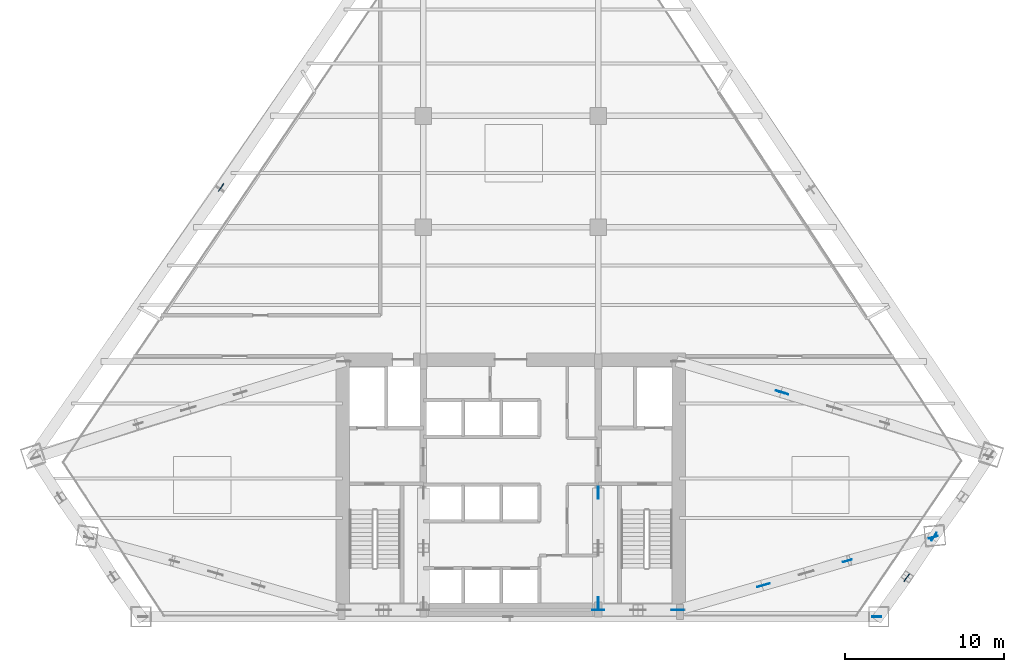
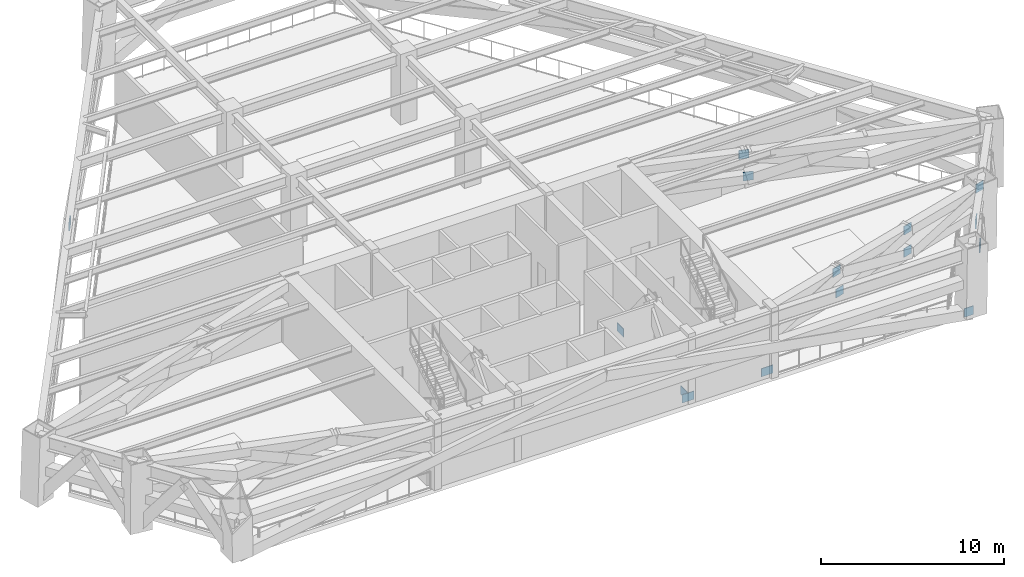
# One storey, part 5 of 10: 15 plates.
"""IFC4 building model written with IfcOpenShell, lengths in metres."""

from ifc_helpers import new_model, si_unit, direction, frame, origin, origin_2d, place, context, subcontext, project, spatial, rectangle, extrude, source, transform, mapped, material, layer, layer_set, type_object, type_shapes, element, save


model = new_model("IFC4")

# Units and contexts
model_context = context("Model", 3, precision=1e-05, world=origin(), true_north=direction((0.0, 1.0)))
body_context = subcontext(model_context, "Body", "Model", "MODEL_VIEW")
ifc_project = project(units=[si_unit("LENGTHUNIT", "METRE"), si_unit("AREAUNIT", "SQUARE_METRE"), si_unit("VOLUMEUNIT", "CUBIC_METRE"), si_unit("PLANEANGLEUNIT", "RADIAN"), si_unit("MASSUNIT", "GRAM", prefix="KILO")], contexts=[model_context])

# Site, building, storey
site_placement = place(None, origin())
site = spatial("IfcSite", under=ifc_project, at=site_placement, CompositionType="ELEMENT")
building_placement = place(site_placement, origin())
building = spatial("IfcBuilding", under=site, at=building_placement, Name="Varnakhor Terracotta Tower", CompositionType="ELEMENT")
storey_placement = place(building_placement, frame((0.0, 0.0, 71.89990234375)))
storey = spatial("IfcBuildingStorey", under=building, at=storey_placement, Name="L17", CompositionType="ELEMENT", Elevation=71.89990234375)

# Plates
ifc_material = material(Name="Steel S460", Category="steel")
ifc_layer_1 = layer(ifc_material, 0.050048828125, Name="Steel S460")
ifc_layer_set_1 = layer_set([ifc_layer_1], Name="Steel S460")
plate_type_1 = type_object("IfcPlateType", Name="PLT-GUSSET-50", PredefinedType="USERDEFINED", material=ifc_layer_set_1)
shared_shape_1 = source(origin(), body_context, "Body", "SweptSolid", [
    extrude(rectangle(XDim=0.75, YDim=0.0400390625, at=origin_2d()), origin(), (0.0, 0.0, 1.0), 0.550048828125),
])
type_shapes(plate_type_1, [shared_shape_1])
for number, where, z_axis, x_axis, name in (
    (1, (5.5, 0.419921875, -0.0947265625), (0.0, 0.0, 1.0), (1.0, 0.0, 0.0), "L17 Core Brace Embed Plate CSEA"),
    (2, (10.5, 0.419921875, -0.0947265625), (0.0, 0.0, 1.0), (1.0, 0.0, 0.0), "L17 Core Brace Embed Plate CSEB"),
    (3, (5.5, 0.85009765625, -0.0947265625), (0.0, 0.0, 1.0), (0.0, 1.0, 0.0), "L17 Core Brace Embed Plate CWEA"),
    (4, (5.5, 7.800048828125, -0.0947265625), (0.0, 0.0, 1.0), (0.0, 1.0, 0.0), "L17 Core Brace Embed Plate CWEB"),
):
    element("IfcPlate", number, at=place(storey_placement, frame(where, z_axis=z_axis, x_axis=x_axis)), inside=storey, type_object=plate_type_1, Name=name, ObjectType="GUSSET PLATE", PredefinedType="USERDEFINED", context=body_context, shape_type="MappedRepresentation", body=[
        mapped(shared_shape_1, transform((0.0, 0.0, 0.0), scale=1.0)),
    ])
ifc_layer_2 = layer(ifc_material, 0.044921875, Name="Steel S460")
ifc_layer_set_2 = layer_set([ifc_layer_2], Name="Steel S460")
plate_type_2 = type_object("IfcPlateType", Name="PLT-GUSSET-45", PredefinedType="USERDEFINED", material=ifc_layer_set_2)
shared_shape_2 = source(origin(), body_context, "Body", "SweptSolid", [
    extrude(rectangle(XDim=0.580078125, YDim=0.0400390625, at=origin_2d()), origin(), (0.0, 0.0, 1.0), 0.580078125),
])
for number, where, z_axis, x_axis, name in (
    (5, (23.016845703125, 0.0, -0.26953125), (0.0, 0.0, 1.0), (-1.0, 0.0, 0.0), "L17 Brace End Connection Plate 54"),
    (6, (24.89453125, 2.45458984375, 3.601806640625), (0.0, 0.0, 1.0), (0.58260537134, 0.812755179181, 0.0), "L17 Brace End Connection Plate 55"),
    (7, (26.626953125, 5.043701171875, -0.195556640625), (0.0, 0.0, 1.0), (-0.555439619225, -0.831556870812, 0.0), "L17 Brace End Connection Plate 56"),
    (8, (-18.2216796875, 27.002197265625, 3.673583984375), (0.0, 0.0, 1.0), (-0.564044990534, -0.825744057595, 0.0), "L17 Brace End Connection Plate 63"),
    (9, (15.7783203125, 1.949462890625, 3.778076171875), (0.0, 0.0, 1.0), (0.960488224179, 0.278320626641, 0.0), "L17 Brace End Connection Plate 78"),
    (10, (21.16748046875, 3.51123046875, 2.2919921875), (0.0, 0.0, 1.0), (0.960483366421, 0.278337390281, 0.0), "L17 Brace End Connection Plate 79"),
    (11, (16.00048828125, 2.013916015625, 2.2919921875), (0.0, 0.0, 1.0), (0.960483366421, 0.278337390281, 0.0), "L17 Brace End Connection Plate 80"),
    (12, (21.16748046875, 3.51123046875, 3.778076171875), (0.0, 0.0, 1.0), (0.960483366421, 0.278337390281, 0.0), "L17 Brace End Connection Plate 81"),
    (13, (26.563720703125, 4.998046875, 3.778076171875), (0.0, 0.0, 1.0), (0.964151001032, 0.265354191995, 0.0), "L17 Brace End Connection Plate 82"),
    (14, (16.95458984375, 14.13671875, 3.783447265625), (0.0, 0.0, 1.0), (0.958765190166, -0.284199419643, 0.0), "L17 Brace End Connection Plate 83"),
    (15, (17.17919921875, 14.070068359375, 2.28662109375), (0.0, 0.0, 1.0), (0.958775110013, -0.284165952251, 0.0), "L17 Brace End Connection Plate 85"),
):
    element("IfcPlate", number, at=place(storey_placement, frame(where, z_axis=z_axis, x_axis=x_axis)), inside=storey, type_object=plate_type_2, Name=name, ObjectType="GUSSET PLATE", PredefinedType="USERDEFINED", context=body_context, shape_type="MappedRepresentation", body=[
        mapped(shared_shape_2, transform((0.0, 0.0, 0.0), scale=1.0)),
    ])

save(model, "model.ifc")
